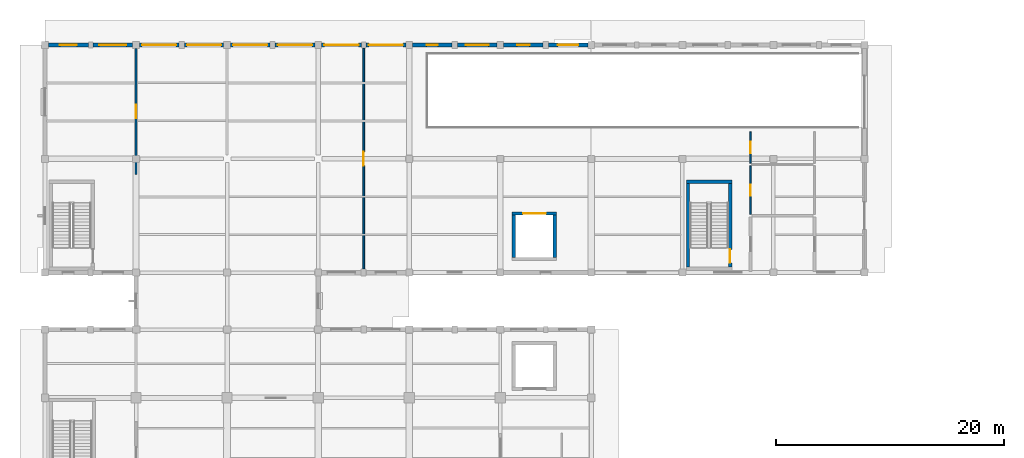
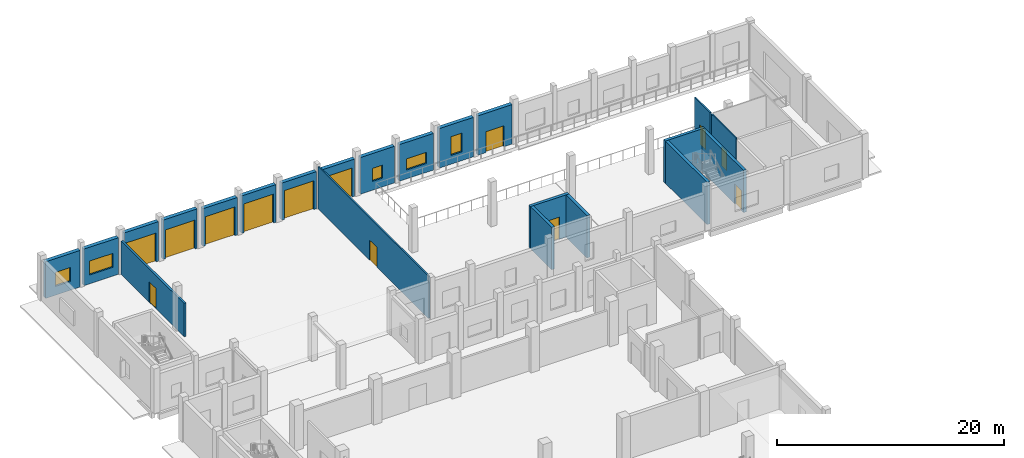
# One storey, part 125 of 156: 22 walls, 13 doors, 5 windows, 18 openings.
"""IFC4 building model written with IfcOpenShell, lengths in metres."""

from ifc_helpers import new_model, si_unit, direction, frame, frame_2d, origin, place, context, subcontext, project, spatial, rectangle, extrude, material, layer, layer_set, type_object, element, fill, save


model = new_model("IFC4")

# Units and contexts
model_context = context("Model", 3, precision=1e-05, world=origin(), true_north=direction((0.0, 1.0)))
body_context = subcontext(model_context, "Body", "Model", "MODEL_VIEW")
ifc_project = project(units=[si_unit("LENGTHUNIT", "METRE"), si_unit("AREAUNIT", "SQUARE_METRE"), si_unit("VOLUMEUNIT", "CUBIC_METRE"), si_unit("PLANEANGLEUNIT", "RADIAN"), si_unit("MASSUNIT", "GRAM", prefix="KILO")], contexts=[model_context])

# Site, building, storey
site_placement = place(None, origin())
site = spatial("IfcSite", under=ifc_project, at=site_placement, CompositionType="ELEMENT")
building_placement = place(site_placement, origin())
building = spatial("IfcBuilding", under=site, at=building_placement, Name="Luwemba Playhouse", CompositionType="ELEMENT")
storey_placement = place(building_placement, origin())
storey = spatial("IfcBuildingStorey", under=building, at=storey_placement, Name="L00", CompositionType="ELEMENT", Elevation=0.0)

# Wall, opening, window
ifc_material_1 = material(Name="Clay facing brick obra vista masonry", Category="masonry")
ifc_layer_1 = layer(ifc_material_1, 0.3798828125)
ifc_layer_set_1 = layer_set([ifc_layer_1], Name="Clay facing brick obra vista masonry")
wall_type_1 = type_object("IfcWallType", Name="WAL-BRK-380", PredefinedType="SOLIDWALL", material=ifc_layer_set_1)
wall_1_placement = place(storey_placement, frame((4.300048828125, 115.0, 0.0), z_axis=(0.0, 0.0, 1.0), x_axis=(1.0, 0.0, 0.0)))
wall_1 = element("IfcWall", 1, at=wall_1_placement, inside=storey, type_object=wall_type_1, Name="L00 V6W exterior facade wall 0082", PredefinedType="SOLIDWALL", context=body_context, shape_type="SweptSolid", body=[
    extrude(rectangle(XDim=3.5, YDim=0.3798828125, at=frame_2d((1.75, 0.0))), origin(), (0.0, 0.0, 1.0), 3.93505859375),
])
opening_1_placement = place(wall_1_placement, frame((1.0, 0.0, 0.949951171875)))
opening_1 = element("IfcOpeningElement", 2, at=opening_1_placement, cuts=wall_1, Name="Opening WN-09", PredefinedType="OPENING", context=body_context, shape_type="SweptSolid", body=[
    extrude(rectangle(XDim=1.5, YDim=1.5, at=frame_2d((0.75, 0.75))), frame((0.0, 0.199951171875, 0.0), z_axis=(0.0, -1.0, 0.0), x_axis=(1.0, 0.0, 0.0)), (0.0, 0.0, 1.0), 0.39990234375),
])
ifc_material_2 = material(Name="Solar-control double glazing in aluminium frame", Category="aluminium")
window_type_1 = type_object("IfcWindowType", Name="WIN-WN-09", PartitioningType="DOUBLE_PANEL_VERTICAL", PredefinedType="WINDOW", material=ifc_material_2)
window_1_placement = place(opening_1_placement, origin())
window_1 = element("IfcWindow", 3, at=window_1_placement, inside=storey, type_object=window_type_1, Name="L00 V6W scheduled window 0050", OverallHeight=1.5, OverallWidth=1.5, PartitioningType="DOUBLE_PANEL_VERTICAL", PredefinedType="WINDOW", context=body_context, shape_type="SweptSolid", body=[
    extrude(rectangle(XDim=1.5, YDim=1.5, at=frame_2d((0.75, 0.75))), frame((0.0, 0.030029296875, 0.0), z_axis=(0.0, -1.0, 0.0), x_axis=(1.0, 0.0, 0.0)), (0.0, 0.0, 1.0), 0.06005859375),
])
fill(opening_1, window_1)

wall_2_placement = place(storey_placement, frame((8.199951171875, 115.0, 0.0), z_axis=(0.0, 0.0, 1.0), x_axis=(1.0, 0.0, 0.0)))
wall_2 = element("IfcWall", 4, at=wall_2_placement, inside=storey, type_object=wall_type_1, Name="L00 V6W exterior facade wall 0083", PredefinedType="SOLIDWALL", context=body_context, shape_type="SweptSolid", body=[
    extrude(rectangle(XDim=3.5, YDim=0.3798828125, at=frame_2d((1.75, 0.0))), origin(), (0.0, 0.0, 1.0), 3.93505859375),
])
opening_2_placement = place(wall_2_placement, frame((0.550048828125, 0.0, 0.949951171875)))
opening_2 = element("IfcOpeningElement", 5, at=opening_2_placement, cuts=wall_2, Name="Opening WN-12", PredefinedType="OPENING", context=body_context, shape_type="SweptSolid", body=[
    extrude(rectangle(XDim=2.39990234375, YDim=1.5, at=frame_2d((1.199951171875, 0.75))), frame((0.0, 0.199951171875, 0.0), z_axis=(0.0, -1.0, 0.0), x_axis=(1.0, 0.0, 0.0)), (0.0, 0.0, 1.0), 0.39990234375),
])
window_type_2 = type_object("IfcWindowType", Name="WIN-WN-12", PartitioningType="TRIPLE_PANEL_VERTICAL", PredefinedType="WINDOW", material=ifc_material_2)
window_2_placement = place(opening_2_placement, origin())
window_2 = element("IfcWindow", 6, at=window_2_placement, inside=storey, type_object=window_type_2, Name="L00 V6W scheduled window 0051", OverallHeight=1.5, OverallWidth=2.39990234375, PartitioningType="TRIPLE_PANEL_VERTICAL", PredefinedType="WINDOW", context=body_context, shape_type="SweptSolid", body=[
    extrude(rectangle(XDim=2.39990234375, YDim=1.5, at=frame_2d((1.199951171875, 0.75))), frame((0.0, 0.030029296875, 0.0), z_axis=(0.0, -1.0, 0.0), x_axis=(1.0, 0.0, 0.0)), (0.0, 0.0, 1.0), 0.06005859375),
])
fill(opening_2, window_2)

# Wall, opening, door
wall_3_placement = place(storey_placement, frame((12.300048828125, 115.0, 0.0), z_axis=(0.0, 0.0, 1.0), x_axis=(1.0, 0.0, 0.0)))
wall_3 = element("IfcWall", 7, at=wall_3_placement, inside=storey, type_object=wall_type_1, Name="L00 V6W exterior facade wall 0084", PredefinedType="SOLIDWALL", context=body_context, shape_type="SweptSolid", body=[
    extrude(rectangle(XDim=3.449951171875, YDim=0.3798828125, at=frame_2d((1.72509765625, 0.0))), origin(), (0.0, 0.0, 1.0), 4.235107421875),
])
opening_3_placement = place(wall_3_placement, frame((0.22509765625, 0.0, 0.0)))
opening_3 = element("IfcOpeningElement", 8, at=opening_3_placement, cuts=wall_3, Name="Opening D-SH1", PredefinedType="OPENING", context=body_context, shape_type="SweptSolid", body=[
    extrude(rectangle(XDim=3.0, YDim=3.10009765625, at=frame_2d((1.5, 1.550048828125))), frame((0.0, 0.199951171875, 0.0), z_axis=(0.0, -1.0, 0.0), x_axis=(1.0, 0.0, 0.0)), (0.0, 0.0, 1.0), 0.39990234375),
])
ifc_material_3 = material(Name="Insulated galvanised steel shutter", Category="steel")
door_type_1 = type_object("IfcDoorType", Name="DR-DOCK-320", OperationType="NOTDEFINED", PredefinedType="DOOR", material=ifc_material_3)
door_1_placement = place(opening_3_placement, origin())
door_1 = element("IfcDoor", 9, at=door_1_placement, inside=storey, type_object=door_type_1, Name="Loading dock acoustic roller shutter 084", OperationType="ROLLINGUP", OverallHeight=3.10009765625, OverallWidth=3.0, PredefinedType="DOOR", context=body_context, shape_type="SweptSolid", body=[
    extrude(rectangle(XDim=3.0, YDim=3.10009765625, at=frame_2d((1.5, 1.550048828125))), frame((0.0, 0.02490234375, 0.0), z_axis=(0.0, -1.0, 0.0), x_axis=(1.0, 0.0, 0.0)), (0.0, 0.0, 1.0), 0.050048828125),
])
fill(opening_3, door_1)

wall_4_placement = place(storey_placement, frame((16.25, 115.0, 0.0), z_axis=(0.0, 0.0, 1.0), x_axis=(1.0, 0.0, 0.0)))
wall_4 = element("IfcWall", 10, at=wall_4_placement, inside=storey, type_object=wall_type_1, Name="L00 V6W exterior facade wall 0085", PredefinedType="SOLIDWALL", context=body_context, shape_type="SweptSolid", body=[
    extrude(rectangle(XDim=3.449951171875, YDim=0.3798828125, at=frame_2d((1.72509765625, 0.0))), origin(), (0.0, 0.0, 1.0), 4.235107421875),
])
opening_4_placement = place(wall_4_placement, frame((0.22509765625, 0.0, 0.0)))
opening_4 = element("IfcOpeningElement", 11, at=opening_4_placement, cuts=wall_4, Name="Opening D-SH1", PredefinedType="OPENING", context=body_context, shape_type="SweptSolid", body=[
    extrude(rectangle(XDim=3.0, YDim=3.10009765625, at=frame_2d((1.5, 1.550048828125))), frame((0.0, 0.199951171875, 0.0), z_axis=(0.0, -1.0, 0.0), x_axis=(1.0, 0.0, 0.0)), (0.0, 0.0, 1.0), 0.39990234375),
])
door_2_placement = place(opening_4_placement, origin())
door_2 = element("IfcDoor", 12, at=door_2_placement, inside=storey, type_object=door_type_1, Name="Loading dock acoustic roller shutter 085", OperationType="ROLLINGUP", OverallHeight=3.10009765625, OverallWidth=3.0, PredefinedType="DOOR", context=body_context, shape_type="SweptSolid", body=[
    extrude(rectangle(XDim=3.0, YDim=3.10009765625, at=frame_2d((1.5, 1.550048828125))), frame((0.0, 0.02490234375, 0.0), z_axis=(0.0, -1.0, 0.0), x_axis=(1.0, 0.0, 0.0)), (0.0, 0.0, 1.0), 0.050048828125),
])
fill(opening_4, door_2)

wall_5_placement = place(storey_placement, frame((20.300048828125, 115.0, 0.0), z_axis=(0.0, 0.0, 1.0), x_axis=(1.0, 0.0, 0.0)))
wall_5 = element("IfcWall", 13, at=wall_5_placement, inside=storey, type_object=wall_type_1, Name="L00 V6W exterior facade wall 0086", PredefinedType="SOLIDWALL", context=body_context, shape_type="SweptSolid", body=[
    extrude(rectangle(XDim=3.474853515625, YDim=0.3798828125, at=frame_2d((1.7373046875, 0.0))), origin(), (0.0, 0.0, 1.0), 4.034912109375),
])
opening_5_placement = place(wall_5_placement, frame((0.237548828125, 0.0, 0.0)))
opening_5 = element("IfcOpeningElement", 14, at=opening_5_placement, cuts=wall_5, Name="Opening D-SH1", PredefinedType="OPENING", context=body_context, shape_type="SweptSolid", body=[
    extrude(rectangle(XDim=3.0, YDim=3.10009765625, at=frame_2d((1.5, 1.550048828125))), frame((0.0, 0.199951171875, 0.0), z_axis=(0.0, -1.0, 0.0), x_axis=(1.0, 0.0, 0.0)), (0.0, 0.0, 1.0), 0.39990234375),
])
door_3_placement = place(opening_5_placement, origin())
door_3 = element("IfcDoor", 15, at=door_3_placement, inside=storey, type_object=door_type_1, Name="Loading dock acoustic roller shutter 086", OperationType="ROLLINGUP", OverallHeight=3.10009765625, OverallWidth=3.0, PredefinedType="DOOR", context=body_context, shape_type="SweptSolid", body=[
    extrude(rectangle(XDim=3.0, YDim=3.10009765625, at=frame_2d((1.5, 1.550048828125))), frame((0.0, 0.02490234375, 0.0), z_axis=(0.0, -1.0, 0.0), x_axis=(1.0, 0.0, 0.0)), (0.0, 0.0, 1.0), 0.050048828125),
])
fill(opening_5, door_3)

wall_6_placement = place(storey_placement, frame((24.22509765625, 115.0, 0.0), z_axis=(0.0, 0.0, 1.0), x_axis=(1.0, 0.0, 0.0)))
wall_6 = element("IfcWall", 16, at=wall_6_placement, inside=storey, type_object=wall_type_1, Name="L00 V6W exterior facade wall 0087", PredefinedType="SOLIDWALL", context=body_context, shape_type="SweptSolid", body=[
    extrude(rectangle(XDim=3.474853515625, YDim=0.3798828125, at=frame_2d((1.7373046875, 0.0))), origin(), (0.0, 0.0, 1.0), 4.034912109375),
])
opening_6_placement = place(wall_6_placement, frame((0.237548828125, 0.0, 0.0)))
opening_6 = element("IfcOpeningElement", 17, at=opening_6_placement, cuts=wall_6, Name="Opening D-SH1", PredefinedType="OPENING", context=body_context, shape_type="SweptSolid", body=[
    extrude(rectangle(XDim=3.0, YDim=3.10009765625, at=frame_2d((1.5, 1.550048828125))), frame((0.0, 0.199951171875, 0.0), z_axis=(0.0, -1.0, 0.0), x_axis=(1.0, 0.0, 0.0)), (0.0, 0.0, 1.0), 0.39990234375),
])
door_4_placement = place(opening_6_placement, origin())
door_4 = element("IfcDoor", 18, at=door_4_placement, inside=storey, type_object=door_type_1, Name="Loading dock acoustic roller shutter 087", OperationType="ROLLINGUP", OverallHeight=3.10009765625, OverallWidth=3.0, PredefinedType="DOOR", context=body_context, shape_type="SweptSolid", body=[
    extrude(rectangle(XDim=3.0, YDim=3.10009765625, at=frame_2d((1.5, 1.550048828125))), frame((0.0, 0.02490234375, 0.0), z_axis=(0.0, -1.0, 0.0), x_axis=(1.0, 0.0, 0.0)), (0.0, 0.0, 1.0), 0.050048828125),
])
fill(opening_6, door_4)

wall_7_placement = place(storey_placement, frame((28.300048828125, 115.0, 0.0), z_axis=(0.0, 0.0, 1.0), x_axis=(1.0, 0.0, 0.0)))
wall_7 = element("IfcWall", 19, at=wall_7_placement, inside=storey, type_object=wall_type_1, Name="L00 V6W exterior facade wall 0088", PredefinedType="SOLIDWALL", context=body_context, shape_type="SweptSolid", body=[
    extrude(rectangle(XDim=3.5, YDim=0.3798828125, at=frame_2d((1.75, 0.0))), origin(), (0.0, 0.0, 1.0), 3.985107421875),
])
opening_7_placement = place(wall_7_placement, frame((0.25, 0.0, 0.0)))
opening_7 = element("IfcOpeningElement", 20, at=opening_7_placement, cuts=wall_7, Name="Opening D-SH1", PredefinedType="OPENING", context=body_context, shape_type="SweptSolid", body=[
    extrude(rectangle(XDim=3.0, YDim=3.10009765625, at=frame_2d((1.5, 1.550048828125))), frame((0.0, 0.199951171875, 0.0), z_axis=(0.0, -1.0, 0.0), x_axis=(1.0, 0.0, 0.0)), (0.0, 0.0, 1.0), 0.39990234375),
])
door_5_placement = place(opening_7_placement, origin())
door_5 = element("IfcDoor", 21, at=door_5_placement, inside=storey, type_object=door_type_1, Name="Loading dock acoustic roller shutter 088", OperationType="ROLLINGUP", OverallHeight=3.10009765625, OverallWidth=3.0, PredefinedType="DOOR", context=body_context, shape_type="SweptSolid", body=[
    extrude(rectangle(XDim=3.0, YDim=3.10009765625, at=frame_2d((1.5, 1.550048828125))), frame((0.0, 0.02490234375, 0.0), z_axis=(0.0, -1.0, 0.0), x_axis=(1.0, 0.0, 0.0)), (0.0, 0.0, 1.0), 0.050048828125),
])
fill(opening_7, door_5)

wall_8_placement = place(storey_placement, frame((32.199951171875, 115.0, 0.0), z_axis=(0.0, 0.0, 1.0), x_axis=(1.0, 0.0, 0.0)))
wall_8 = element("IfcWall", 22, at=wall_8_placement, inside=storey, type_object=wall_type_1, Name="L00 V6W exterior facade wall 0089", PredefinedType="SOLIDWALL", context=body_context, shape_type="SweptSolid", body=[
    extrude(rectangle(XDim=3.5, YDim=0.3798828125, at=frame_2d((1.75, 0.0))), origin(), (0.0, 0.0, 1.0), 3.985107421875),
])
opening_8_placement = place(wall_8_placement, frame((0.25, 0.0, 0.0)))
opening_8 = element("IfcOpeningElement", 23, at=opening_8_placement, cuts=wall_8, Name="Opening D-SH1", PredefinedType="OPENING", context=body_context, shape_type="SweptSolid", body=[
    extrude(rectangle(XDim=3.0, YDim=3.10009765625, at=frame_2d((1.5, 1.550048828125))), frame((0.0, 0.199951171875, 0.0), z_axis=(0.0, -1.0, 0.0), x_axis=(1.0, 0.0, 0.0)), (0.0, 0.0, 1.0), 0.39990234375),
])
door_6_placement = place(opening_8_placement, origin())
door_6 = element("IfcDoor", 24, at=door_6_placement, inside=storey, type_object=door_type_1, Name="Loading dock acoustic roller shutter 089", OperationType="ROLLINGUP", OverallHeight=3.10009765625, OverallWidth=3.0, PredefinedType="DOOR", context=body_context, shape_type="SweptSolid", body=[
    extrude(rectangle(XDim=3.0, YDim=3.10009765625, at=frame_2d((1.5, 1.550048828125))), frame((0.0, 0.02490234375, 0.0), z_axis=(0.0, -1.0, 0.0), x_axis=(1.0, 0.0, 0.0)), (0.0, 0.0, 1.0), 0.050048828125),
])
fill(opening_8, door_6)

# Wall, opening, window
wall_9_placement = place(storey_placement, frame((36.300048828125, 115.0, 0.0), z_axis=(0.0, 0.0, 1.0), x_axis=(1.0, 0.0, 0.0)))
wall_9 = element("IfcWall", 25, at=wall_9_placement, inside=storey, type_object=wall_type_1, Name="L00 V6W exterior facade wall 0090", PredefinedType="SOLIDWALL", context=body_context, shape_type="SweptSolid", body=[
    extrude(rectangle(XDim=3.449951171875, YDim=0.3798828125, at=frame_2d((1.72509765625, 0.0))), origin(), (0.0, 0.0, 1.0), 3.93505859375),
])
opening_9_placement = place(wall_9_placement, frame((1.22509765625, 0.0, 0.949951171875)))
opening_9 = element("IfcOpeningElement", 26, at=opening_9_placement, cuts=wall_9, Name="Opening WN-13", PredefinedType="OPENING", context=body_context, shape_type="SweptSolid", body=[
    extrude(rectangle(XDim=1.0, YDim=1.39990234375, at=frame_2d((0.5, 0.699951171875))), frame((0.0, 0.199951171875, 0.0), z_axis=(0.0, -1.0, 0.0), x_axis=(1.0, 0.0, 0.0)), (0.0, 0.0, 1.0), 0.39990234375),
])
window_type_3 = type_object("IfcWindowType", Name="WIN-WN-13", PartitioningType="SINGLE_PANEL", PredefinedType="WINDOW", material=ifc_material_2)
window_3_placement = place(opening_9_placement, origin())
window_3 = element("IfcWindow", 27, at=window_3_placement, inside=storey, type_object=window_type_3, Name="L00 V6W scheduled window 0052", OverallHeight=1.39990234375, OverallWidth=1.0, PartitioningType="SINGLE_PANEL", PredefinedType="WINDOW", context=body_context, shape_type="SweptSolid", body=[
    extrude(rectangle(XDim=1.0, YDim=1.39990234375, at=frame_2d((0.5, 0.699951171875))), frame((0.0, 0.030029296875, 0.0), z_axis=(0.0, -1.0, 0.0), x_axis=(1.0, 0.0, 0.0)), (0.0, 0.0, 1.0), 0.06005859375),
])
fill(opening_9, window_3)

wall_10_placement = place(storey_placement, frame((40.25, 115.0, 0.0), z_axis=(0.0, 0.0, 1.0), x_axis=(1.0, 0.0, 0.0)))
wall_10 = element("IfcWall", 28, at=wall_10_placement, inside=storey, type_object=wall_type_1, Name="L00 V6W exterior facade wall 0091", PredefinedType="SOLIDWALL", context=body_context, shape_type="SweptSolid", body=[
    extrude(rectangle(XDim=3.449951171875, YDim=0.3798828125, at=frame_2d((1.72509765625, 0.0))), origin(), (0.0, 0.0, 1.0), 3.93505859375),
])
opening_10_placement = place(wall_10_placement, frame((0.72509765625, 0.0, 0.949951171875)))
opening_10 = element("IfcOpeningElement", 29, at=opening_10_placement, cuts=wall_10, Name="Opening WN-16", PredefinedType="OPENING", context=body_context, shape_type="SweptSolid", body=[
    extrude(rectangle(XDim=2.0, YDim=1.199951171875, at=frame_2d((1.0, 0.60009765625))), frame((0.0, 0.199951171875, 0.0), z_axis=(0.0, -1.0, 0.0), x_axis=(1.0, 0.0, 0.0)), (0.0, 0.0, 1.0), 0.39990234375),
])
window_type_4 = type_object("IfcWindowType", Name="WIN-WN-16", PartitioningType="DOUBLE_PANEL_HORIZONTAL", PredefinedType="WINDOW", material=ifc_material_2)
window_4_placement = place(opening_10_placement, origin())
window_4 = element("IfcWindow", 30, at=window_4_placement, inside=storey, type_object=window_type_4, Name="L00 V6W scheduled window 0053", OverallHeight=1.199951171875, OverallWidth=2.0, PartitioningType="DOUBLE_PANEL_HORIZONTAL", PredefinedType="WINDOW", context=body_context, shape_type="SweptSolid", body=[
    extrude(rectangle(XDim=2.0, YDim=1.199951171875, at=frame_2d((1.0, 0.60009765625))), frame((0.0, 0.030029296875, 0.0), z_axis=(0.0, -1.0, 0.0), x_axis=(1.0, 0.0, 0.0)), (0.0, 0.0, 1.0), 0.06005859375),
])
fill(opening_10, window_4)

wall_11_placement = place(storey_placement, frame((44.300048828125, 115.0, 0.0), z_axis=(0.0, 0.0, 1.0), x_axis=(1.0, 0.0, 0.0)))
wall_11 = element("IfcWall", 31, at=wall_11_placement, inside=storey, type_object=wall_type_1, Name="L00 V6W exterior facade wall 0092", PredefinedType="SOLIDWALL", context=body_context, shape_type="SweptSolid", body=[
    extrude(rectangle(XDim=3.474853515625, YDim=0.3798828125, at=frame_2d((1.7373046875, 0.0))), origin(), (0.0, 0.0, 1.0), 4.235107421875),
])
opening_11_placement = place(wall_11_placement, frame((1.1875, 0.0, 0.949951171875)))
opening_11 = element("IfcOpeningElement", 32, at=opening_11_placement, cuts=wall_11, Name="Opening WN-19", PredefinedType="OPENING", context=body_context, shape_type="SweptSolid", body=[
    extrude(rectangle(XDim=1.10009765625, YDim=2.0, at=frame_2d((0.550048828125, 1.0))), frame((0.0, 0.199951171875, 0.0), z_axis=(0.0, -1.0, 0.0), x_axis=(1.0, 0.0, 0.0)), (0.0, 0.0, 1.0), 0.39990234375),
])
window_type_5 = type_object("IfcWindowType", Name="WIN-WN-19", PartitioningType="SINGLE_PANEL", PredefinedType="WINDOW", material=ifc_material_2)
window_5_placement = place(opening_11_placement, origin())
window_5 = element("IfcWindow", 33, at=window_5_placement, inside=storey, type_object=window_type_5, Name="L00 V6W scheduled window 0054", OverallHeight=2.0, OverallWidth=1.10009765625, PartitioningType="SINGLE_PANEL", PredefinedType="WINDOW", context=body_context, shape_type="SweptSolid", body=[
    extrude(rectangle(XDim=1.10009765625, YDim=2.0, at=frame_2d((0.550048828125, 1.0))), frame((0.0, 0.030029296875, 0.0), z_axis=(0.0, -1.0, 0.0), x_axis=(1.0, 0.0, 0.0)), (0.0, 0.0, 1.0), 0.06005859375),
])
fill(opening_11, window_5)

# Wall, opening, door
wall_12_placement = place(storey_placement, frame((48.22509765625, 115.0, 0.0), z_axis=(0.0, 0.0, 1.0), x_axis=(1.0, 0.0, 0.0)))
wall_12 = element("IfcWall", 34, at=wall_12_placement, inside=storey, type_object=wall_type_1, Name="L00 V6W exterior facade wall 0093", PredefinedType="SOLIDWALL", context=body_context, shape_type="SweptSolid", body=[
    extrude(rectangle(XDim=3.474853515625, YDim=0.3798828125, at=frame_2d((1.7373046875, 0.0))), origin(), (0.0, 0.0, 1.0), 4.235107421875),
])
opening_12_placement = place(wall_12_placement, frame((0.83740234375, 0.0, 0.0)))
opening_12 = element("IfcOpeningElement", 35, at=opening_12_placement, cuts=wall_12, Name="Opening E22", PredefinedType="OPENING", context=body_context, shape_type="SweptSolid", body=[
    extrude(rectangle(XDim=1.800048828125, YDim=2.25, at=frame_2d((0.89990234375, 1.125))), frame((0.0, 0.199951171875, 0.0), z_axis=(0.0, -1.0, 0.0), x_axis=(1.0, 0.0, 0.0)), (0.0, 0.0, 1.0), 0.39990234375),
])
ifc_material_4 = material(Name="Architectural bronze-anodised aluminium and glazed leaf", Category="aluminium")
door_type_2 = type_object("IfcDoorType", Name="DR-EXIT-180", OperationType="NOTDEFINED", PredefinedType="DOOR", material=ifc_material_4)
door_7_placement = place(opening_12_placement, origin())
door_7 = element("IfcDoor", 36, at=door_7_placement, inside=storey, type_object=door_type_2, Name="Stair ST-08 final exit discharge door", OperationType="DOUBLE_DOOR_SINGLE_SWING", OverallHeight=2.25, OverallWidth=1.800048828125, PredefinedType="DOOR", context=body_context, shape_type="SweptSolid", body=[
    extrude(rectangle(XDim=1.800048828125, YDim=2.25, at=frame_2d((0.89990234375, 1.125))), frame((0.0, 0.02490234375, 0.0), z_axis=(0.0, -1.0, 0.0), x_axis=(1.0, 0.0, 0.0)), (0.0, 0.0, 1.0), 0.050048828125),
])
fill(opening_12, door_7)

# Walls
ifc_material_5 = material(Name="Concrete C40/50", Category="concrete")
ifc_layer_2 = layer(ifc_material_5, 0.300048828125)
ifc_layer_set_2 = layer_set([ifc_layer_2], Name="Concrete C40/50")
wall_type_2 = type_object("IfcWallType", Name="WAL-CORE-300", PredefinedType="SHEAR", material=ifc_layer_set_2)
wall_13_placement = place(storey_placement, frame((64.35009765625, 102.969970703125, 0.0), z_axis=(0.0, 0.0, 1.0), x_axis=(-1.0, 0.0, 0.0)))
element("IfcWall", 37, at=wall_13_placement, inside=storey, type_object=wall_type_2, Name="L00 ST-15 stair core wall N", PredefinedType="SHEAR", context=body_context, shape_type="SweptSolid", body=[
    extrude(rectangle(XDim=4.0, YDim=0.300048828125, at=frame_2d((2.0, 0.0))), origin(), (0.0, 0.0, 1.0), 4.550048828125),
])
wall_14_placement = place(storey_placement, frame((60.5, 95.5, 0.0), z_axis=(0.0, 0.0, 1.0), x_axis=(0.0, 1.0, 0.0)))
element("IfcWall", 38, at=wall_14_placement, inside=storey, type_object=wall_type_2, Name="L00 ST-15 stair core wall W", PredefinedType="SHEAR", context=body_context, shape_type="SweptSolid", body=[
    extrude(rectangle(XDim=7.320068359375, YDim=0.300048828125, at=frame_2d((3.66015625, 0.0))), origin(), (0.0, 0.0, 1.0), 4.550048828125),
])

# Wall, opening, door
wall_15_placement = place(storey_placement, frame((64.199951171875, 102.820068359375, 0.0), z_axis=(0.0, 0.0, 1.0), x_axis=(0.0, -1.0, 0.0)))
wall_15 = element("IfcWall", 39, at=wall_15_placement, inside=storey, type_object=wall_type_2, Name="L00 ST-15 stair core wall E", PredefinedType="SHEAR", context=body_context, shape_type="SweptSolid", body=[
    extrude(rectangle(XDim=7.320068359375, YDim=0.300048828125, at=frame_2d((3.66015625, 0.0))), origin(), (0.0, 0.0, 1.0), 4.550048828125),
])
opening_13_placement = place(wall_15_placement, frame((5.77001953125, 0.0, 0.0)))
opening_13 = element("IfcOpeningElement", 40, at=opening_13_placement, cuts=wall_15, Name="Opening D-STAIR3", PredefinedType="OPENING", context=body_context, shape_type="SweptSolid", body=[
    extrude(rectangle(XDim=1.199951171875, YDim=2.14990234375, at=frame_2d((0.60009765625, 1.074951171875))), frame((0.0, 0.159912109375, 0.0), z_axis=(0.0, -1.0, 0.0), x_axis=(1.0, 0.0, 0.0)), (0.0, 0.0, 1.0), 0.320068359375),
])
ifc_material_6 = material(Name="Hardwood acoustic fire door leaf", Category="wood")
door_type_3 = type_object("IfcDoorType", Name="DR-STAIR-120", OperationType="NOTDEFINED", PredefinedType="DOOR", material=ifc_material_6)
door_8_placement = place(opening_13_placement, origin())
door_8 = element("IfcDoor", 41, at=door_8_placement, inside=storey, type_object=door_type_3, Name="L00 ST-15 protected stair entry door", OperationType="SINGLE_SWING_RIGHT", OverallHeight=2.14990234375, OverallWidth=1.199951171875, PredefinedType="DOOR", context=body_context, shape_type="SweptSolid", body=[
    extrude(rectangle(XDim=1.199951171875, YDim=2.14990234375, at=frame_2d((0.60009765625, 1.074951171875))), frame((0.0, 0.02490234375, 0.0), z_axis=(0.0, -1.0, 0.0), x_axis=(1.0, 0.0, 0.0)), (0.0, 0.0, 1.0), 0.050048828125),
])
fill(opening_13, door_8)

wall_16_placement = place(storey_placement, frame((48.949951171875, 100.199951171875, 0.0), z_axis=(0.0, 0.0, 1.0), x_axis=(-1.0, 0.0, 0.0)))
wall_16 = element("IfcWall", 42, at=wall_16_placement, inside=storey, type_object=wall_type_2, Name="L00 Lift LF-G2 shaft wall N", PredefinedType="SHEAR", context=body_context, shape_type="SweptSolid", body=[
    extrude(rectangle(XDim=3.89990234375, YDim=0.300048828125, at=frame_2d((1.949951171875, 0.0))), origin(), (0.0, 0.0, 1.0), 4.550048828125),
])
opening_14_placement = place(wall_16_placement, frame((0.949951171875, 0.0, 0.0)))
opening_14 = element("IfcOpeningElement", 43, at=opening_14_placement, cuts=wall_16, Name="Opening LD-02", PredefinedType="OPENING", context=body_context, shape_type="SweptSolid", body=[
    extrude(rectangle(XDim=2.0, YDim=2.39990234375, at=frame_2d((1.0, 1.199951171875))), frame((0.0, 0.159912109375, 0.0), z_axis=(0.0, -1.0, 0.0), x_axis=(1.0, 0.0, 0.0)), (0.0, 0.0, 1.0), 0.320068359375),
])
ifc_material_7 = material(Name="Heavy steel goods lift landing doors", Category="steel")
door_type_4 = type_object("IfcDoorType", Name="DR-LIFT-200", OperationType="NOTDEFINED", PredefinedType="DOOR", material=ifc_material_7)
door_9_placement = place(opening_14_placement, origin())
door_9 = element("IfcDoor", 44, at=door_9_placement, inside=storey, type_object=door_type_4, Name="L00 Lift LF-G2 landing door", OperationType="DOUBLE_DOOR_SLIDING", OverallHeight=2.39990234375, OverallWidth=2.0, PredefinedType="DOOR", context=body_context, shape_type="SweptSolid", body=[
    extrude(rectangle(XDim=2.0, YDim=2.39990234375, at=frame_2d((1.0, 1.199951171875))), frame((0.0, 0.02490234375, 0.0), z_axis=(0.0, -1.0, 0.0), x_axis=(1.0, 0.0, 0.0)), (0.0, 0.0, 1.0), 0.050048828125),
])
fill(opening_14, door_9)

# Walls
for number, where, z_axis, x_axis, name in (
    (45, (45.199951171875, 96.35009765625, 0.0), (0.0, 0.0, 1.0), (0.0, 1.0, 0.0), "L00 Lift LF-G2 shaft wall W"),
    (46, (48.800048828125, 100.050048828125, 0.0), (0.0, 0.0, 1.0), (0.0, -1.0, 0.0), "L00 Lift LF-G2 shaft wall E"),
):
    element("IfcWall", number, at=place(storey_placement, frame(where, z_axis=z_axis, x_axis=x_axis)), inside=storey, type_object=wall_type_2, Name=name, PredefinedType="SHEAR", context=body_context, shape_type="SweptSolid", body=[
        extrude(rectangle(XDim=3.699951171875, YDim=0.300048828125, at=frame_2d((1.85009765625, 0.0))), origin(), (0.0, 0.0, 1.0), 4.550048828125),
    ])

# Wall, opening, door
ifc_material_8 = material(Name="Moisture-resistant sanitary partition", Category="gypsum")
ifc_layer_3 = layer(ifc_material_8, 0.1201171875)
ifc_layer_set_3 = layer_set([ifc_layer_3], Name="Moisture-resistant sanitary partition")
wall_type_3 = type_object("IfcWallType", Name="WAL-INT-120", PredefinedType="PARTITIONING", material=ifc_layer_set_3)
wall_17_placement = place(storey_placement, frame((66.0, 100.1201171875, 0.0), z_axis=(0.0, 0.0, 1.0), x_axis=(0.0, 1.0, 0.0)))
wall_17 = element("IfcWall", 47, at=wall_17_placement, inside=storey, type_object=wall_type_3, Name="L00 V6W interior partition 0113", PredefinedType="PARTITIONING", context=body_context, shape_type="SweptSolid", body=[
    extrude(rectangle(XDim=4.259765625, YDim=0.1201171875, at=frame_2d((2.1298828125, 0.0))), origin(), (0.0, 0.0, 1.0), 4.550048828125),
])
opening_15_placement = place(wall_17_placement, frame((1.655029296875, 0.0, 0.0)))
opening_15 = element("IfcOpeningElement", 48, at=opening_15_placement, cuts=wall_17, Name="Opening D-WC1", PredefinedType="OPENING", context=body_context, shape_type="SweptSolid", body=[
    extrude(rectangle(XDim=0.949951171875, YDim=2.10009765625, at=frame_2d((0.47509765625, 1.050048828125))), frame((0.0, 0.070068359375, 0.0), z_axis=(0.0, -1.0, 0.0), x_axis=(1.0, 0.0, 0.0)), (0.0, 0.0, 1.0), 0.14013671875),
])
ifc_material_9 = material(Name="Moisture-resistant laminate door", Category="wood")
door_type_5 = type_object("IfcDoorType", Name="DR-WC-095", OperationType="NOTDEFINED", PredefinedType="DOOR", material=ifc_material_9)
door_10_placement = place(opening_15_placement, origin())
door_10 = element("IfcDoor", 49, at=door_10_placement, inside=storey, type_object=door_type_5, Name="L00 Scenic Paint Frame and Prop Workshop to Workshop Staff Toilets and Showers door", OperationType="SINGLE_SWING_RIGHT", OverallHeight=2.10009765625, OverallWidth=0.949951171875, PredefinedType="DOOR", context=body_context, shape_type="SweptSolid", body=[
    extrude(rectangle(XDim=0.949951171875, YDim=2.10009765625, at=frame_2d((0.47509765625, 1.050048828125))), frame((0.0, 0.02490234375, 0.0), z_axis=(0.0, -1.0, 0.0), x_axis=(1.0, 0.0, 0.0)), (0.0, 0.0, 1.0), 0.050048828125),
])
fill(opening_15, door_10)

wall_18_placement = place(storey_placement, frame((66.0, 104.6201171875, 0.0), z_axis=(0.0, 0.0, 1.0), x_axis=(0.0, 1.0, 0.0)))
wall_18 = element("IfcWall", 50, at=wall_18_placement, inside=storey, type_object=wall_type_3, Name="L00 V6W interior partition 0114", PredefinedType="PARTITIONING", context=body_context, shape_type="SweptSolid", body=[
    extrude(rectangle(XDim=2.759765625, YDim=0.1201171875, at=frame_2d((1.3798828125, 0.0))), origin(), (0.0, 0.0, 1.0), 4.550048828125),
])
opening_16_placement = place(wall_18_placement, frame((0.8798828125, 0.0, 0.0)))
opening_16 = element("IfcOpeningElement", 51, at=opening_16_placement, cuts=wall_18, Name="Opening D-AWC", PredefinedType="OPENING", context=body_context, shape_type="SweptSolid", body=[
    extrude(rectangle(XDim=1.0, YDim=2.10009765625, at=frame_2d((0.5, 1.050048828125))), frame((0.0, 0.070068359375, 0.0), z_axis=(0.0, -1.0, 0.0), x_axis=(1.0, 0.0, 0.0)), (0.0, 0.0, 1.0), 0.14013671875),
])
ifc_material_10 = material(Name="Accessible WC outward-assisted timber door", Category="wood")
door_type_6 = type_object("IfcDoorType", Name="DR-AWC-100", OperationType="NOTDEFINED", PredefinedType="DOOR", material=ifc_material_10)
door_11_placement = place(opening_16_placement, origin())
door_11 = element("IfcDoor", 52, at=door_11_placement, inside=storey, type_object=door_type_6, Name="L00 Scenic Paint Frame and Prop Workshop to Scene Dock Accessible WC door", OperationType="SINGLE_SWING_LEFT", OverallHeight=2.10009765625, OverallWidth=1.0, PredefinedType="DOOR", context=body_context, shape_type="SweptSolid", body=[
    extrude(rectangle(XDim=1.0, YDim=2.10009765625, at=frame_2d((0.5, 1.050048828125))), frame((0.0, 0.02490234375, 0.0), z_axis=(0.0, -1.0, 0.0), x_axis=(1.0, 0.0, 0.0)), (0.0, 0.0, 1.0), 0.050048828125),
])
fill(opening_16, door_11)

ifc_material_11 = material(Name="Acoustic gypsum stud partition", Category="gypsum")
ifc_layer_4 = layer(ifc_material_11, 0.14990234375)
ifc_layer_set_4 = layer_set([ifc_layer_4], Name="Acoustic gypsum stud partition")
wall_type_4 = type_object("IfcWallType", Name="WAL-INT-150", PredefinedType="PARTITIONING", material=ifc_layer_set_4)
wall_19_placement = place(storey_placement, frame((32.0, 95.320068359375, 0.0), z_axis=(0.0, 0.0, 1.0), x_axis=(0.0, 1.0, 0.0)))
wall_19 = element("IfcWall", 53, at=wall_19_placement, inside=storey, type_object=wall_type_4, Name="L00 V6W interior partition 0110", PredefinedType="PARTITIONING", context=body_context, shape_type="SweptSolid", body=[
    extrude(rectangle(XDim=19.385009765625, YDim=0.14990234375, at=frame_2d((9.6923828125, 0.0))), origin(), (0.0, 0.0, 1.0), 4.550048828125),
])
opening_17_placement = place(wall_19_placement, frame((9.0673828125, 0.0, 0.0)))
opening_17 = element("IfcOpeningElement", 54, at=opening_17_placement, cuts=wall_19, Name="Opening D-IN1", PredefinedType="OPENING", context=body_context, shape_type="SweptSolid", body=[
    extrude(rectangle(XDim=1.25, YDim=2.14990234375, at=frame_2d((0.625, 1.074951171875))), frame((0.0, 0.0849609375, 0.0), z_axis=(0.0, -1.0, 0.0), x_axis=(1.0, 0.0, 0.0)), (0.0, 0.0, 1.0), 0.169921875),
])
ifc_material_12 = material(Name="Solid hardwood interior door", Category="wood")
door_type_7 = type_object("IfcDoorType", Name="DR-INT-125", OperationType="NOTDEFINED", PredefinedType="DOOR", material=ifc_material_12)
door_12_placement = place(opening_17_placement, origin())
door_12 = element("IfcDoor", 55, at=door_12_placement, inside=storey, type_object=door_type_7, Name="L00 Heated Acoustic Scene Dock to Scenery Carpentry and Metalwork Workshop door", OperationType="SINGLE_SWING_LEFT", OverallHeight=2.14990234375, OverallWidth=1.25, PredefinedType="DOOR", context=body_context, shape_type="SweptSolid", body=[
    extrude(rectangle(XDim=1.25, YDim=2.14990234375, at=frame_2d((0.625, 1.074951171875))), frame((0.0, 0.02490234375, 0.0), z_axis=(0.0, -1.0, 0.0), x_axis=(1.0, 0.0, 0.0)), (0.0, 0.0, 1.0), 0.050048828125),
])
fill(opening_17, door_12)

ifc_material_13 = material(Name="Clay acoustic masonry blockwork", Category="masonry")
ifc_layer_5 = layer(ifc_material_13, 0.199951171875)
ifc_layer_set_5 = layer_set([ifc_layer_5], Name="Clay acoustic masonry blockwork")
wall_type_5 = type_object("IfcWallType", Name="WAL-INT-200", PredefinedType="PARTITIONING", material=ifc_layer_set_5)
wall_20_placement = place(storey_placement, frame((12.0, 103.6201171875, 0.0), z_axis=(0.0, 0.0, 1.0), x_axis=(0.0, 1.0, 0.0)))
wall_20 = element("IfcWall", 56, at=wall_20_placement, inside=storey, type_object=wall_type_5, Name="L00 V6W interior partition 0111", PredefinedType="PARTITIONING", context=body_context, shape_type="SweptSolid", body=[
    extrude(rectangle(XDim=11.059814453125, YDim=0.199951171875, at=frame_2d((5.52978515625, 0.0))), origin(), (0.0, 0.0, 1.0), 3.5849609375),
])
opening_18_placement = place(wall_20_placement, frame((4.929931640625, 0.0, 0.0)))
opening_18 = element("IfcOpeningElement", 57, at=opening_18_placement, cuts=wall_20, Name="Opening D-FD120", PredefinedType="OPENING", context=body_context, shape_type="SweptSolid", body=[
    extrude(rectangle(XDim=1.199951171875, YDim=2.199951171875, at=frame_2d((0.60009765625, 1.10009765625))), frame((0.0, 0.10986328125, 0.0), z_axis=(0.0, -1.0, 0.0), x_axis=(1.0, 0.0, 0.0)), (0.0, 0.0, 1.0), 0.219970703125),
])
ifc_material_14 = material(Name="Steel-core fire command door leaf", Category="steel")
door_type_8 = type_object("IfcDoorType", Name="DR-FCC-120", OperationType="NOTDEFINED", PredefinedType="DOOR", material=ifc_material_14)
door_13_placement = place(opening_18_placement, origin())
door_13 = element("IfcDoor", 58, at=door_13_placement, inside=storey, type_object=door_type_8, Name="L00 Heated Acoustic Scene Dock to Primary HV Switchroom and Transformer Bay door", OperationType="SINGLE_SWING_RIGHT", OverallHeight=2.199951171875, OverallWidth=1.199951171875, PredefinedType="DOOR", context=body_context, shape_type="SweptSolid", body=[
    extrude(rectangle(XDim=1.199951171875, YDim=2.199951171875, at=frame_2d((0.60009765625, 1.10009765625))), frame((0.0, 0.02490234375, 0.0), z_axis=(0.0, -1.0, 0.0), x_axis=(1.0, 0.0, 0.0)), (0.0, 0.0, 1.0), 0.050048828125),
])
fill(opening_18, door_13)

save(model, "model.ifc")
